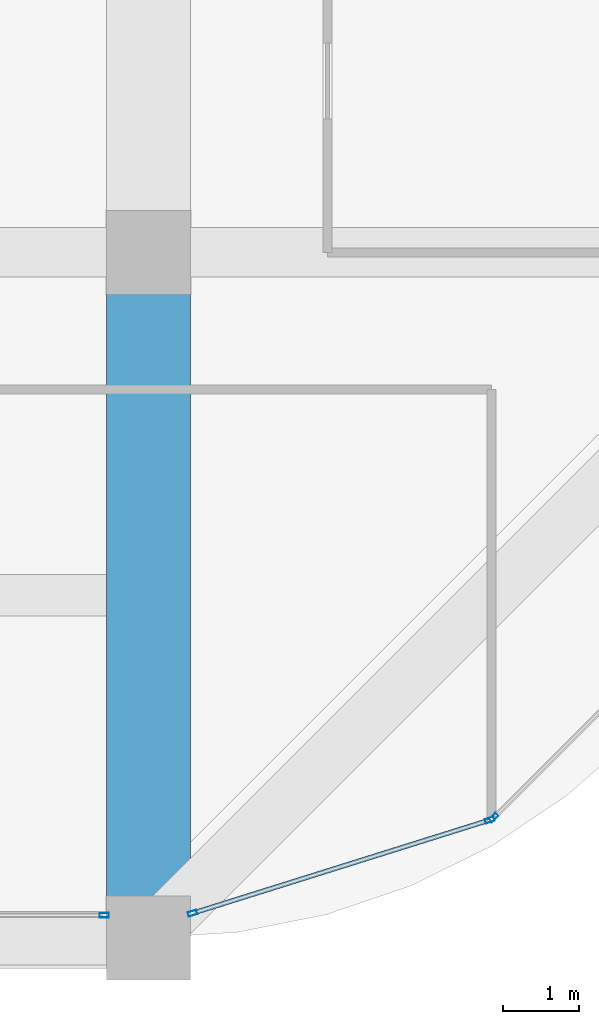
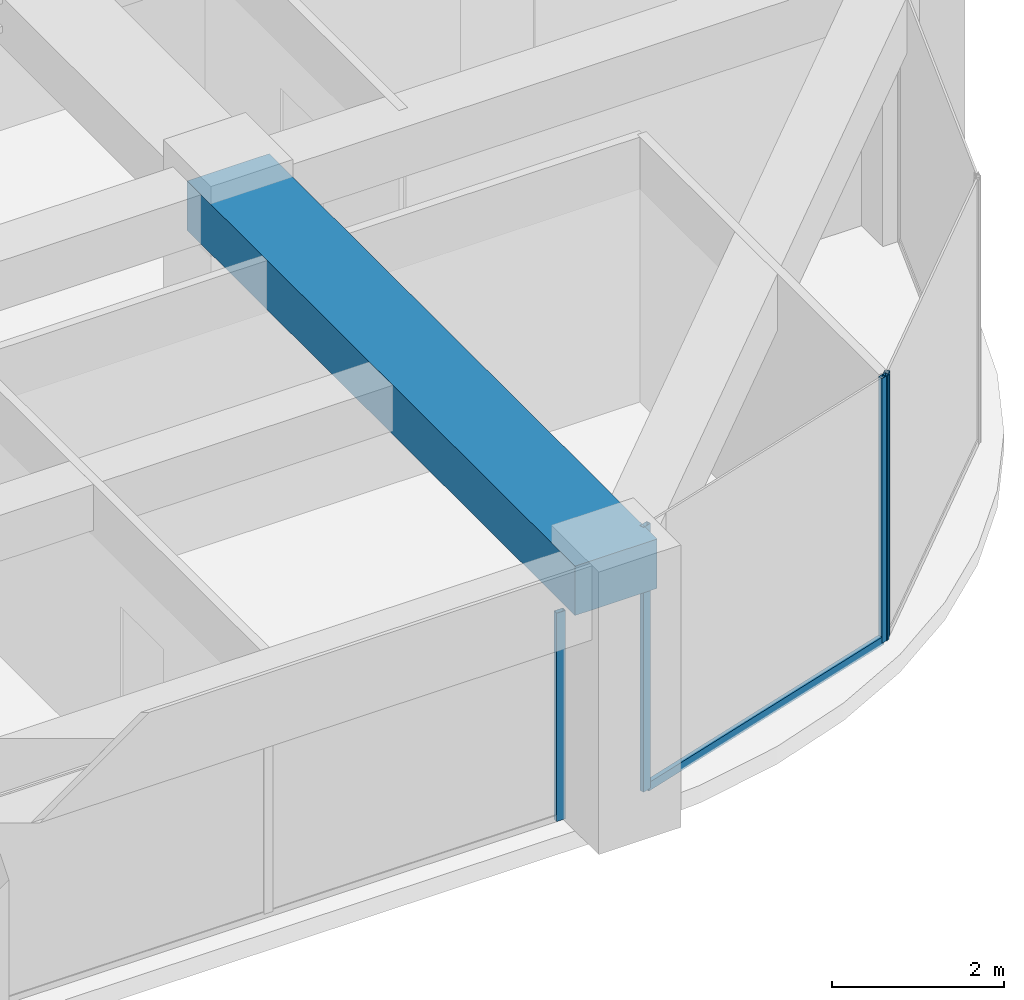
# One storey, part 18 of 44: 5 members, 1 beam, 3 elements without a shape of their own.
"""IFC4 building model written with IfcOpenShell, lengths in metres."""

from ifc_helpers import new_model, si_unit, direction, frame, origin, origin_2d, place, context, subcontext, project, spatial, rectangle, hollow_rectangle, extrude, material, material_profile, profile_set, type_object, element, aggregate, save


model = new_model("IFC4")

# Units and contexts
model_context = context("Model", 3, precision=1e-05, world=origin(), true_north=direction((0.0, 1.0)))
body_context = subcontext(model_context, "Body", "Model", "MODEL_VIEW")
ifc_project = project(units=[si_unit("LENGTHUNIT", "METRE"), si_unit("AREAUNIT", "SQUARE_METRE"), si_unit("VOLUMEUNIT", "CUBIC_METRE"), si_unit("PLANEANGLEUNIT", "RADIAN"), si_unit("MASSUNIT", "GRAM", prefix="KILO")], contexts=[model_context])

# Site, building, storey
site_placement = place(None, origin())
site = spatial("IfcSite", under=ifc_project, at=site_placement, CompositionType="ELEMENT")
building_placement = place(site_placement, origin())
building = spatial("IfcBuilding", under=site, at=building_placement, Name="Zorevar Civic Tower", CompositionType="ELEMENT")
storey_placement = place(building_placement, frame((0.0, 0.0, 299.39990234375)))
storey = spatial("IfcBuildingStorey", under=building, at=storey_placement, Name="L73", CompositionType="ELEMENT", Elevation=299.39990234375)

# Beam
ifc_material_1 = material(Name="Concrete C50/60", Category="concrete")
ifc_material_profile_1 = material_profile(ifc_material_1, rectangle(XDim=1.10009765625, YDim=0.699951171875, at=origin_2d()), Name="RC 1100x700")
ifc_profile_set_1 = profile_set([ifc_material_profile_1], Name="Concrete C50/60")
beam_type = type_object("IfcBeamType", Name="Beam RC 1100x700", PredefinedType="BEAM", material=ifc_profile_set_1)
beam_placement = place(storey_placement, frame((45.0, 0.0, 3.400146484375), z_axis=(0.0, 1.0, 0.0), x_axis=(-1.0, 0.0, 0.0)))
element("IfcBeam", 1, at=beam_placement, inside=storey, type_object=beam_type, Name="Girder L74", PredefinedType="BEAM", context=body_context, shape_type="SweptSolid", body=[
    extrude(rectangle(XDim=1.10009765625, YDim=0.699951171875, at=origin_2d()), origin(), (0.0, 0.0, 1.0), 9.0),
])

# Curtain wall, member
ifc_material_2 = material(Name="Dark grey solar-control glass in black aluminium frame", Category="aluminium")
curtain_wall_type = type_object("IfcCurtainWallType", Name="Curtain wall CW5 top zone", PredefinedType="NOTDEFINED", material=ifc_material_2)
curtain_wall_1_placement = place(storey_placement, origin())
curtain_wall_1 = element("IfcCurtainWall", 2, at=curtain_wall_1_placement, inside=storey, type_object=curtain_wall_type, Name="CW5 L73", PredefinedType="NOTDEFINED")
ifc_material_3 = material(Name="Aluminium, black anodised", Category="aluminium")
ifc_material_profile_2 = material_profile(ifc_material_3, hollow_rectangle(XDim=0.06005859375, YDim=0.1201171875, WallThickness=0.0029296875, at=origin_2d()), Name="AL 120x60x3")
ifc_profile_set_2 = profile_set([ifc_material_profile_2], Name="Aluminium, black anodised")
member_type_1 = type_object("IfcMemberType", Name="CW5 mullion AL 120x60x3", PredefinedType="MULLION", material=ifc_profile_set_2)
member_1_placement = place(storey_placement, frame((44.419921875, 0.300048828125, 0.0), z_axis=(0.0, 0.0, 1.0), x_axis=(0.0, 1.0, 0.0)))
member_1 = element("IfcMember", 3, at=member_1_placement, type_object=member_type_1, Name="CW5 mullion 3", PredefinedType="MULLION", context=body_context, shape_type="SweptSolid", body=[
    extrude(hollow_rectangle(XDim=0.06005859375, YDim=0.1201171875, WallThickness=0.0029296875, at=origin_2d()), origin(), (0.0, 0.0, 1.0), 2.9501953125),
])
aggregate(curtain_wall_1, [member_1])

# Curtain wall, members
curtain_wall_2_placement = place(storey_placement, origin())
curtain_wall_2 = element("IfcCurtainWall", 4, at=curtain_wall_2_placement, inside=storey, type_object=curtain_wall_type, Name="CW5 L73", PredefinedType="NOTDEFINED")
member_2_placement = place(storey_placement, frame((45.57861328125, 0.326416015625, 0.0), z_axis=(0.0, 0.0, 1.0), x_axis=(-0.299317920238, 0.954153437674, 0.0)))
member_2 = element("IfcMember", 5, at=member_2_placement, type_object=member_type_1, Name="CW5 mullion 1", PredefinedType="MULLION", context=body_context, shape_type="SweptSolid", body=[
    extrude(hollow_rectangle(XDim=0.06005859375, YDim=0.1201171875, WallThickness=0.0029296875, at=origin_2d()), origin(), (0.0, 0.0, 1.0), 3.75),
])
member_3_placement = place(storey_placement, frame((49.479248046875, 1.550048828125, 0.0), z_axis=(0.0, 0.0, 1.0), x_axis=(-0.299317920238, 0.954153437674, 0.0)))
member_3 = element("IfcMember", 6, at=member_3_placement, type_object=member_type_1, Name="CW5 mullion 2", PredefinedType="MULLION", context=body_context, shape_type="SweptSolid", body=[
    extrude(hollow_rectangle(XDim=0.06005859375, YDim=0.1201171875, WallThickness=0.0029296875, at=origin_2d()), origin(), (0.0, 0.0, 1.0), 3.75),
])

# Curtain wall, member
curtain_wall_3_placement = place(storey_placement, origin())
curtain_wall_3 = element("IfcCurtainWall", 7, at=curtain_wall_3_placement, inside=storey, type_object=curtain_wall_type, Name="CW5 L73", PredefinedType="NOTDEFINED")
member_4_placement = place(storey_placement, frame((49.529052734375, 1.580322265625, 0.0), z_axis=(0.0, 0.0, 1.0), x_axis=(-0.707106781187, 0.707106781187, 0.0)))
member_4 = element("IfcMember", 8, at=member_4_placement, type_object=member_type_1, Name="CW5 mullion 1", PredefinedType="MULLION", context=body_context, shape_type="SweptSolid", body=[
    extrude(hollow_rectangle(XDim=0.06005859375, YDim=0.1201171875, WallThickness=0.0029296875, at=origin_2d()), origin(), (0.0, 0.0, 1.0), 3.75),
])
aggregate(curtain_wall_3, [member_4])

# Member
ifc_material_4 = material(Name="Aluminium, black anodised", Category="aluminium")
ifc_material_profile_3 = material_profile(ifc_material_4, hollow_rectangle(XDim=0.06005859375, YDim=0.1201171875, WallThickness=0.0029296875, at=origin_2d()), Name="AL 120x60x3")
ifc_profile_set_3 = profile_set([ifc_material_profile_3], Name="Aluminium, black anodised")
member_type_2 = type_object("IfcMemberType", Name="CW5 transom AL 120x60x3", PredefinedType="USERDEFINED", material=ifc_profile_set_3)
member_5_placement = place(storey_placement, frame((45.607177734375, 0.33544921875, 0.030029296875), z_axis=(0.954163457351, 0.299285978047, 0.0), x_axis=(-0.299285978047, 0.954163457351, 0.0)))
member_5 = element("IfcMember", 9, at=member_5_placement, type_object=member_type_2, Name="CW5 sill transom", ObjectType="TRANSOM", PredefinedType="USERDEFINED", context=body_context, shape_type="SweptSolid", body=[
    extrude(hollow_rectangle(XDim=0.06005859375, YDim=0.1201171875, WallThickness=0.0029296875, at=origin_2d()), origin(), (0.0, 0.0, 1.0), 4.028076171875),
])

aggregate(curtain_wall_2, [member_2, member_3, member_5])

save(model, "model.ifc")
